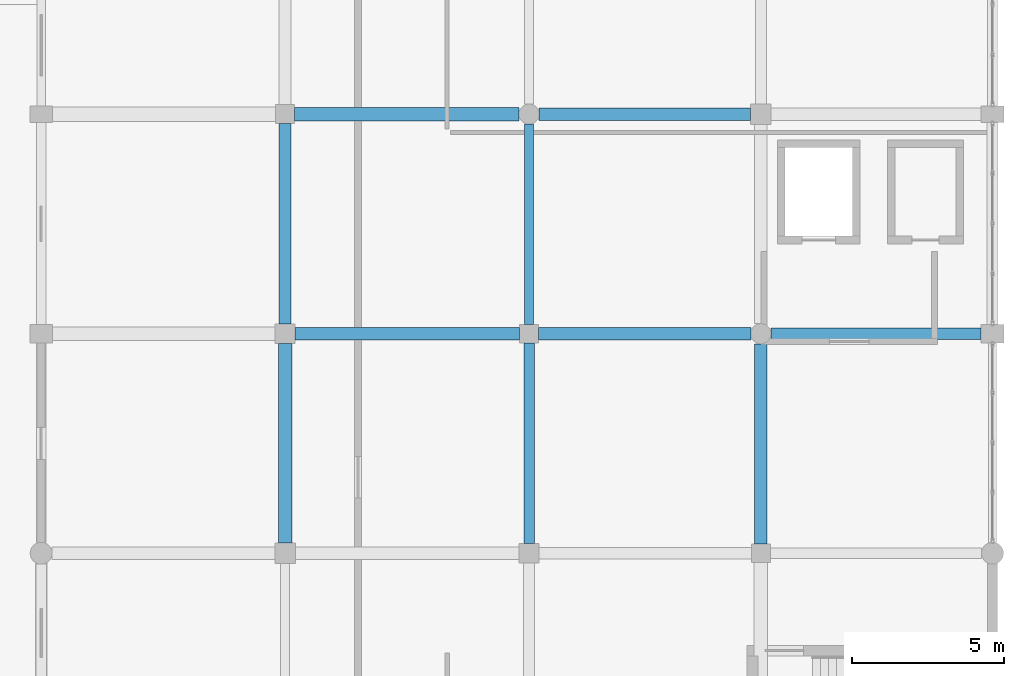
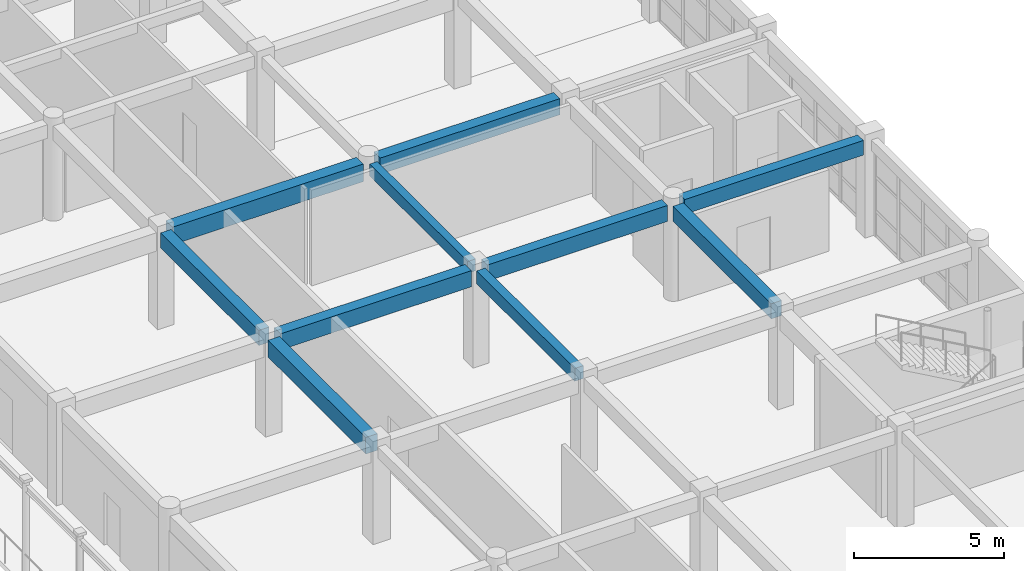
# One storey, part 132 of 195: 10 beams.
"""IFC4 building model written with IfcOpenShell, lengths in metres."""

from ifc_helpers import new_model, si_unit, direction, frame, origin, origin_2d, place, context, subcontext, project, spatial, rectangle, extrude, material, material_profile, profile_set, type_object, element, save


model = new_model("IFC4")

# Units and contexts
model_context = context("Model", 3, precision=1e-05, world=origin(), true_north=direction((0.0, 1.0)))
body_context = subcontext(model_context, "Body", "Model", "MODEL_VIEW")
ifc_project = project(units=[si_unit("LENGTHUNIT", "METRE"), si_unit("AREAUNIT", "SQUARE_METRE"), si_unit("VOLUMEUNIT", "CUBIC_METRE"), si_unit("PLANEANGLEUNIT", "RADIAN"), si_unit("MASSUNIT", "GRAM", prefix="KILO")], contexts=[model_context])

# Site, building, storey
site_placement = place(None, origin())
site = spatial("IfcSite", under=ifc_project, at=site_placement, CompositionType="ELEMENT")
building_placement = place(site_placement, origin())
building = spatial("IfcBuilding", under=site, at=building_placement, Name="Kharva Crest Polytechnic", CompositionType="ELEMENT")
storey_placement = place(building_placement, frame((0.0, 0.0, 9.0)))
storey = spatial("IfcBuildingStorey", under=building, at=storey_placement, Name="L02", CompositionType="ELEMENT", Elevation=9.0)

# Beams
ifc_material = material(Name="Concrete C35/45", Category="concrete")
ifc_material_profile_1 = material_profile(ifc_material, rectangle(XDim=0.300048828125, YDim=0.47998046875, at=origin_2d()), Name="RECT 300 X 480")
ifc_profile_set_1 = profile_set([ifc_material_profile_1], Name="Concrete C35/45")
beam_type_1 = type_object("IfcBeamType", Name="BM-RC-300X480", PredefinedType="BEAM", material=ifc_profile_set_1)
beam_1_placement = place(storey_placement, frame((168.800048828125, 86.31005859375, 3.679931640625), z_axis=(0.0, 1.0, 0.0), x_axis=(-1.0, 0.0, 0.0)))
element("IfcBeam", 1, at=beam_1_placement, inside=storey, type_object=beam_type_1, Name="L02 Girder 22/M-N", PredefinedType="BEAM", context=body_context, shape_type="SweptSolid", body=[
    extrude(rectangle(XDim=0.300048828125, YDim=0.47998046875, at=origin_2d()), origin(), (0.0, 0.0, 1.0), 6.56005859375),
])
ifc_material_profile_2 = material_profile(ifc_material, rectangle(XDim=0.340087890625, YDim=0.52001953125, at=origin_2d()), Name="RECT 340 X 520")
ifc_profile_set_2 = profile_set([ifc_material_profile_2], Name="Concrete C35/45")
beam_type_2 = type_object("IfcBeamType", Name="BM-RC-340X520", PredefinedType="BEAM", material=ifc_profile_set_2)
beam_2_placement = place(storey_placement, frame((168.800048828125, 79.125, 3.659912109375), z_axis=(0.0, 1.0, 0.0), x_axis=(-1.0, 0.0, 0.0)))
element("IfcBeam", 2, at=beam_2_placement, inside=storey, type_object=beam_type_2, Name="L02 Girder 22/L-M", PredefinedType="BEAM", context=body_context, shape_type="SweptSolid", body=[
    extrude(rectangle(XDim=0.340087890625, YDim=0.52001953125, at=origin_2d()), origin(), (0.0, 0.0, 1.0), 6.56494140625),
])
ifc_material_profile_3 = material_profile(ifc_material, rectangle(XDim=0.3798828125, YDim=0.60009765625, at=origin_2d()), Name="RECT 380 X 600")
ifc_profile_set_3 = profile_set([ifc_material_profile_3], Name="Concrete C35/45")
beam_type_3 = type_object("IfcBeamType", Name="BM-RC-380X600", PredefinedType="BEAM", material=ifc_profile_set_3)
beam_3_placement = place(storey_placement, frame((176.72998046875, 86.0, 3.6201171875), z_axis=(1.0, 0.0, 0.0), x_axis=(0.0, 1.0, 0.0)))
element("IfcBeam", 3, at=beam_3_placement, inside=storey, type_object=beam_type_3, Name="L02 Beam M/23-24", PredefinedType="BEAM", context=body_context, shape_type="SweptSolid", body=[
    extrude(rectangle(XDim=0.3798828125, YDim=0.60009765625, at=origin_2d()), origin(), (0.0, 0.0, 1.0), 6.89501953125),
])
ifc_material_profile_4 = material_profile(ifc_material, rectangle(XDim=0.39990234375, YDim=0.6201171875, at=origin_2d()), Name="RECT 400 X 620")
ifc_profile_set_4 = profile_set([ifc_material_profile_4], Name="Concrete C35/45")
beam_type_4 = type_object("IfcBeamType", Name="BM-RC-400X620", PredefinedType="BEAM", material=ifc_profile_set_4)
beam_4_placement = place(storey_placement, frame((160.800048828125, 86.324951171875, 3.610107421875), z_axis=(0.0, 1.0, 0.0), x_axis=(-1.0, 0.0, 0.0)))
element("IfcBeam", 4, at=beam_4_placement, inside=storey, type_object=beam_type_4, Name="L02 Girder 21/M-N", PredefinedType="BEAM", context=body_context, shape_type="SweptSolid", body=[
    extrude(rectangle(XDim=0.39990234375, YDim=0.6201171875, at=origin_2d()), origin(), (0.0, 0.0, 1.0), 6.56494140625),
])
beam_5_placement = place(storey_placement, frame((176.39990234375, 79.110107421875, 3.610107421875), z_axis=(0.0, 1.0, 0.0), x_axis=(-1.0, 0.0, 0.0)))
element("IfcBeam", 5, at=beam_5_placement, inside=storey, type_object=beam_type_4, Name="L02 Girder 23/L-M", PredefinedType="BEAM", context=body_context, shape_type="SweptSolid", body=[
    extrude(rectangle(XDim=0.39990234375, YDim=0.6201171875, at=origin_2d()), origin(), (0.0, 0.0, 1.0), 6.559814453125),
])
ifc_material_profile_5 = material_profile(ifc_material, rectangle(XDim=0.39990234375, YDim=0.64990234375, at=origin_2d()), Name="RECT 400 X 650")
ifc_profile_set_5 = profile_set([ifc_material_profile_5], Name="Concrete C35/45")
beam_type_5 = type_object("IfcBeamType", Name="BM-RC-400X650", PredefinedType="BEAM", material=ifc_profile_set_5)
beam_6_placement = place(storey_placement, frame((169.110107421875, 86.0, 3.594970703125), z_axis=(1.0, 0.0, 0.0), x_axis=(0.0, 1.0, 0.0)))
element("IfcBeam", 6, at=beam_6_placement, inside=storey, type_object=beam_type_5, Name="L02 Beam M/22-23", PredefinedType="BEAM", context=body_context, shape_type="SweptSolid", body=[
    extrude(rectangle(XDim=0.39990234375, YDim=0.64990234375, at=origin_2d()), origin(), (0.0, 0.0, 1.0), 6.9599609375),
])
ifc_material_profile_6 = material_profile(ifc_material, rectangle(XDim=0.419921875, YDim=0.659912109375, at=origin_2d()), Name="RECT 420 X 660")
ifc_profile_set_6 = profile_set([ifc_material_profile_6], Name="Concrete C35/45")
beam_type_6 = type_object("IfcBeamType", Name="BM-RC-420X660", PredefinedType="BEAM", material=ifc_profile_set_6)
beam_7_placement = place(storey_placement, frame((161.125, 86.0, 3.590087890625), z_axis=(1.0, 0.0, 0.0), x_axis=(0.0, 1.0, 0.0)))
element("IfcBeam", 7, at=beam_7_placement, inside=storey, type_object=beam_type_6, Name="L02 Beam M/21-22", PredefinedType="BEAM", context=body_context, shape_type="SweptSolid", body=[
    extrude(rectangle(XDim=0.419921875, YDim=0.659912109375, at=origin_2d()), origin(), (0.0, 0.0, 1.0), 7.364990234375),
])
beam_8_placement = place(storey_placement, frame((169.1298828125, 93.199951171875, 3.590087890625), z_axis=(1.0, 0.0, 0.0), x_axis=(0.0, 1.0, 0.0)))
element("IfcBeam", 8, at=beam_8_placement, inside=storey, type_object=beam_type_6, Name="L02 Beam N/22-23", PredefinedType="BEAM", context=body_context, shape_type="SweptSolid", body=[
    extrude(rectangle(XDim=0.419921875, YDim=0.659912109375, at=origin_2d()), origin(), (0.0, 0.0, 1.0), 6.93017578125),
])
ifc_material_profile_7 = material_profile(ifc_material, rectangle(XDim=0.449951171875, YDim=0.679931640625, at=origin_2d()), Name="RECT 450 X 680")
ifc_profile_set_7 = profile_set([ifc_material_profile_7], Name="Concrete C35/45")
beam_type_7 = type_object("IfcBeamType", Name="BM-RC-450X680", PredefinedType="BEAM", material=ifc_profile_set_7)
beam_9_placement = place(storey_placement, frame((160.800048828125, 79.139892578125, 3.580078125), z_axis=(0.0, 1.0, 0.0), x_axis=(-1.0, 0.0, 0.0)))
element("IfcBeam", 9, at=beam_9_placement, inside=storey, type_object=beam_type_7, Name="L02 Girder 21/L-M", PredefinedType="BEAM", context=body_context, shape_type="SweptSolid", body=[
    extrude(rectangle(XDim=0.449951171875, YDim=0.679931640625, at=origin_2d()), origin(), (0.0, 0.0, 1.0), 6.53515625),
])
ifc_material_profile_8 = material_profile(ifc_material, rectangle(XDim=0.449951171875, YDim=0.719970703125, at=origin_2d()), Name="RECT 450 X 720")
ifc_profile_set_8 = profile_set([ifc_material_profile_8], Name="Concrete C35/45")
beam_type_8 = type_object("IfcBeamType", Name="BM-RC-450X720", PredefinedType="BEAM", material=ifc_profile_set_8)
beam_10_placement = place(storey_placement, frame((161.110107421875, 93.199951171875, 3.56005859375), z_axis=(1.0, 0.0, 0.0), x_axis=(0.0, 1.0, 0.0)))
element("IfcBeam", 10, at=beam_10_placement, inside=storey, type_object=beam_type_8, Name="L02 Beam N/21-22", PredefinedType="BEAM", context=body_context, shape_type="SweptSolid", body=[
    extrude(rectangle(XDim=0.449951171875, YDim=0.719970703125, at=origin_2d()), origin(), (0.0, 0.0, 1.0), 7.35986328125),
])

save(model, "model.ifc")
